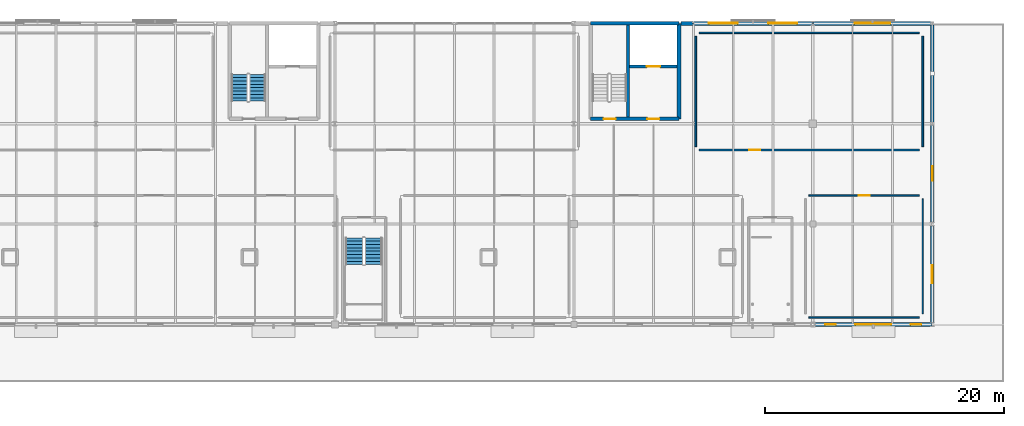
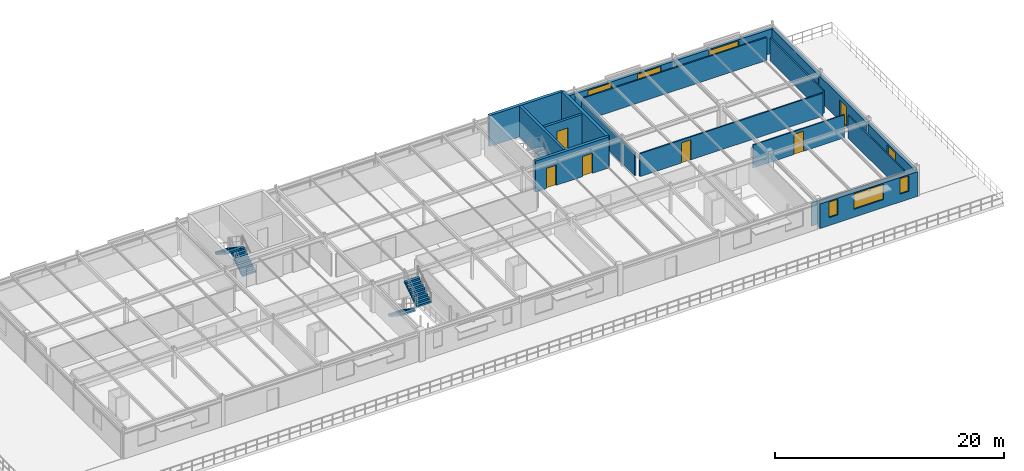
# One storey, part 18 of 23: 19 walls, 7 windows, 6 doors, 4 stair flights, 13 openings, 2 elements without a shape of their own.
"""IFC4 building model written with IfcOpenShell, lengths in metres."""

from ifc_helpers import new_model, si_unit, derived_unit, direction, frame, frame_2d, origin, place, context, subcontext, project, spatial, polyline, rectangle, outline, extrude, material, layer, layer_set, type_object, element, fill, aggregate, save


model = new_model("IFC4")

# Units and contexts
model_context = context("Model", 3, precision=1e-05, world=origin(), true_north=direction((0.0, 1.0)))
body_context = subcontext(model_context, "Body", "Model", "MODEL_VIEW")
ifc_project = project(units=[si_unit("LENGTHUNIT", "METRE"), si_unit("AREAUNIT", "SQUARE_METRE"), si_unit("VOLUMEUNIT", "CUBIC_METRE"), si_unit("PLANEANGLEUNIT", "RADIAN"), si_unit("MASSUNIT", "GRAM", prefix="KILO"), derived_unit("THERMALTRANSMITTANCEUNIT", [(si_unit("POWERUNIT", "WATT"), 1), (si_unit("LENGTHUNIT", "METRE"), -2), (si_unit("THERMODYNAMICTEMPERATUREUNIT", "KELVIN"), -1)])], contexts=[model_context])

# Site, building, storey
site_placement = place(None, origin())
site = spatial("IfcSite", under=ifc_project, at=site_placement, CompositionType="ELEMENT")
building_placement = place(site_placement, origin())
building = spatial("IfcBuilding", under=site, at=building_placement, Name="Cinnabar Yard Market Hall", CompositionType="ELEMENT")
storey_placement = place(building_placement, frame((0.0, 0.0, 12.0)))
storey = spatial("IfcBuildingStorey", under=building, at=storey_placement, Name="L03", CompositionType="ELEMENT", Elevation=12.0)

# Walls
ifc_material_1 = material(Name="Acoustic steel-stud plasterboard", Category="steel")
ifc_layer_1 = layer(ifc_material_1, 0.1201171875)
ifc_layer_set_1 = layer_set([ifc_layer_1], Name="Acoustic steel-stud plasterboard")
wall_type_1 = type_object("IfcWallType", Name="WL-PT120", PredefinedType="PARTITIONING", material=ifc_layer_set_1)
wall_1_placement = place(storey_placement, frame((145.679931640625, 113.39990234375, 0.0), z_axis=(0.0, 0.0, 1.0), x_axis=(1.0, 0.0, 0.0)))
element("IfcWall", 1, at=wall_1_placement, inside=storey, type_object=wall_type_1, Name="Partition Food Safety and Quality Laboratory south", PredefinedType="PARTITIONING", context=body_context, shape_type="SweptSolid", body=[
    extrude(rectangle(XDim=9.239990234375, YDim=0.1201171875, at=frame_2d((4.6201171875, 0.0), x_axis=(1.0, 0.0))), origin(), (0.0, 0.0, 1.0), 2.449951171875),
])
wall_2_placement = place(storey_placement, frame((155.199951171875, 113.679931640625, 0.0), z_axis=(0.0, 0.0, 1.0), x_axis=(0.0, 1.0, 0.0)))
element("IfcWall", 2, at=wall_2_placement, inside=storey, type_object=wall_type_1, Name="Partition Food Safety and Quality Laboratory east", PredefinedType="PARTITIONING", context=body_context, shape_type="SweptSolid", body=[
    extrude(rectangle(XDim=9.64013671875, YDim=0.1201171875, at=frame_2d((4.820068359375, 0.0), x_axis=(1.0, 0.0))), origin(), (0.0, 0.0, 1.0), 2.449951171875),
])

# Wall, opening, door
wall_3_placement = place(storey_placement, frame((154.919921875, 123.60009765625, 0.0), z_axis=(0.0, 0.0, 1.0), x_axis=(-1.0, 0.0, 0.0)))
wall_3 = element("IfcWall", 3, at=wall_3_placement, inside=storey, type_object=wall_type_1, Name="Partition Food Safety and Quality Laboratory north", PredefinedType="PARTITIONING", context=body_context, shape_type="SweptSolid", body=[
    extrude(rectangle(XDim=9.239990234375, YDim=0.1201171875, at=frame_2d((4.6201171875, 0.0), x_axis=(1.0, 0.0))), origin(), (0.0, 0.0, 1.0), 2.449951171875),
])
opening_1_placement = place(wall_3_placement, frame((4.14501953125, 0.0, 0.0)))
opening_1 = element("IfcOpeningElement", 4, at=opening_1_placement, cuts=wall_3, Name="Opening ID-180", PredefinedType="OPENING", context=body_context, shape_type="SweptSolid", body=[
    extrude(rectangle(XDim=0.949951171875, YDim=2.14990234375, at=frame_2d((0.47509765625, 1.074951171875), x_axis=(1.0, 0.0))), frame((0.0, 0.070068359375, 0.0), z_axis=(0.0, -1.0, 0.0), x_axis=(1.0, 0.0, 0.0)), (0.0, 0.0, 1.0), 0.14013671875),
])
ifc_material_2 = material(Name="Solid-core spotted gum timber", Category="wood")
door_type_1 = type_object("IfcDoorType", Name="DR-D06", OperationType="NOTDEFINED", PredefinedType="DOOR", material=ifc_material_2)
door_1_placement = place(opening_1_placement, origin())
door_1 = element("IfcDoor", 5, at=door_1_placement, inside=storey, type_object=door_type_1, Name="Interior Door ID-180", OperationType="SINGLE_SWING_LEFT", OverallHeight=2.14990234375, OverallWidth=0.949951171875, PredefinedType="DOOR", context=body_context, shape_type="SweptSolid", body=[
    extrude(rectangle(XDim=0.949951171875, YDim=2.14990234375, at=frame_2d((0.47509765625, 1.074951171875), x_axis=(1.0, 0.0))), frame((0.0, 0.02490234375, 0.0), z_axis=(0.0, -1.0, 0.0), x_axis=(1.0, 0.0, 0.0)), (0.0, 0.0, 1.0), 0.050048828125),
])
fill(opening_1, door_1)

ifc_material_3 = material(Name="Moisture-resistant tiled service wall")
ifc_layer_2 = layer(ifc_material_3, 0.139892578125)
ifc_layer_set_2 = layer_set([ifc_layer_2], Name="Moisture-resistant tiled service wall")
wall_type_2 = type_object("IfcWallType", Name="WL-PT140", PredefinedType="PLUMBINGWALL", material=ifc_layer_set_2)
wall_4_placement = place(storey_placement, frame((136.47998046875, 127.39990234375, 0.0), z_axis=(0.0, 0.0, 1.0), x_axis=(1.0, 0.0, 0.0)))
wall_4 = element("IfcWall", 6, at=wall_4_placement, inside=storey, type_object=wall_type_2, Name="Partition L03 Public and Accessible WC south", PredefinedType="PLUMBINGWALL", context=body_context, shape_type="SweptSolid", body=[
    extrude(rectangle(XDim=18.43994140625, YDim=0.139892578125, at=frame_2d((9.219970703125, 0.0), x_axis=(1.0, 0.0))), origin(), (0.0, 0.0, 1.0), 2.449951171875),
])
opening_2_placement = place(wall_4_placement, frame((4.204833984375, 0.0, 0.0)))
opening_2 = element("IfcOpeningElement", 7, at=opening_2_placement, cuts=wall_4, Name="Opening ID-183", PredefinedType="OPENING", context=body_context, shape_type="SweptSolid", body=[
    extrude(rectangle(XDim=0.919921875, YDim=2.14990234375, at=frame_2d((0.4599609375, 1.074951171875), x_axis=(1.0, 0.0))), frame((0.0, 0.079833984375, 0.0), z_axis=(0.0, -1.0, 0.0), x_axis=(1.0, 0.0, 0.0)), (0.0, 0.0, 1.0), 0.159912109375),
])
door_type_2 = type_object("IfcDoorType", Name="DR-D07", OperationType="NOTDEFINED", PredefinedType="DOOR", material=ifc_material_2)
door_2_placement = place(opening_2_placement, origin())
door_2 = element("IfcDoor", 8, at=door_2_placement, inside=storey, type_object=door_type_2, Name="Interior Door ID-183", OperationType="SINGLE_SWING_RIGHT", OverallHeight=2.14990234375, OverallWidth=0.919921875, PredefinedType="DOOR", context=body_context, shape_type="SweptSolid", body=[
    extrude(rectangle(XDim=0.919921875, YDim=2.14990234375, at=frame_2d((0.4599609375, 1.074951171875), x_axis=(1.0, 0.0))), frame((0.0, 0.02490234375, 0.0), z_axis=(0.0, -1.0, 0.0), x_axis=(1.0, 0.0, 0.0)), (0.0, 0.0, 1.0), 0.050048828125),
])
fill(opening_2, door_2)

# Walls
wall_5_placement = place(storey_placement, frame((155.199951171875, 127.679931640625, 0.0), z_axis=(0.0, 0.0, 1.0), x_axis=(0.0, 1.0, 0.0)))
element("IfcWall", 9, at=wall_5_placement, inside=storey, type_object=wall_type_2, Name="Partition L03 Public and Accessible WC east", PredefinedType="PLUMBINGWALL", context=body_context, shape_type="SweptSolid", body=[
    extrude(rectangle(XDim=9.239990234375, YDim=0.139892578125, at=frame_2d((4.6201171875, 0.0), x_axis=(1.0, 0.0))), origin(), (0.0, 0.0, 1.0), 2.449951171875),
])
wall_6_placement = place(storey_placement, frame((154.919921875, 137.199951171875, 0.0), z_axis=(0.0, 0.0, 1.0), x_axis=(-1.0, 0.0, 0.0)))
element("IfcWall", 10, at=wall_6_placement, inside=storey, type_object=wall_type_2, Name="Partition L03 Public and Accessible WC north", PredefinedType="PLUMBINGWALL", context=body_context, shape_type="SweptSolid", body=[
    extrude(rectangle(XDim=18.43994140625, YDim=0.139892578125, at=frame_2d((9.219970703125, 0.0), x_axis=(1.0, 0.0))), origin(), (0.0, 0.0, 1.0), 2.449951171875),
])
wall_7_placement = place(storey_placement, frame((136.199951171875, 136.919921875, 0.0), z_axis=(0.0, 0.0, 1.0), x_axis=(0.0, -1.0, 0.0)))
element("IfcWall", 11, at=wall_7_placement, inside=storey, type_object=wall_type_2, Name="Partition L03 Public and Accessible WC west", PredefinedType="PLUMBINGWALL", context=body_context, shape_type="SweptSolid", body=[
    extrude(rectangle(XDim=9.239990234375, YDim=0.139892578125, at=frame_2d((4.6201171875, 0.0), x_axis=(1.0, 0.0))), origin(), (0.0, 0.0, 1.0), 2.449951171875),
])
ifc_material_4 = material(Name="Concrete 40 MPa", Category="concrete")
ifc_layer_3 = layer(ifc_material_4, 0.300048828125)
ifc_layer_set_3 = layer_set([ifc_layer_3], Name="Concrete 40 MPa")
wall_type_3 = type_object("IfcWallType", Name="WL-W-CORE", PredefinedType="SHEAR", material=ifc_layer_set_3)
wall_8_placement = place(storey_placement, frame((134.800048828125, 130.0, 0.0), z_axis=(0.0, 0.0, 1.0), x_axis=(0.0, 1.0, 0.0)))
element("IfcWall", 12, at=wall_8_placement, inside=storey, type_object=wall_type_3, Name="Core C6 East Shear Wall L03", PredefinedType="SHEAR", context=body_context, shape_type="SweptSolid", body=[
    extrude(rectangle(XDim=8.0, YDim=0.300048828125, at=frame_2d((4.0, 0.0), x_axis=(1.0, 0.0))), origin(), (0.0, 0.0, 1.0), 3.300048828125),
])

# Wall, openings, doors
wall_9_placement = place(storey_placement, frame((127.39990234375, 130.0, 0.0), z_axis=(0.0, 0.0, 1.0), x_axis=(1.0, 0.0, 0.0)))
wall_9 = element("IfcWall", 13, at=wall_9_placement, inside=storey, type_object=wall_type_3, Name="Core C6 South Shear Wall L03", PredefinedType="SHEAR", context=body_context, shape_type="SweptSolid", body=[
    extrude(rectangle(XDim=7.400146484375, YDim=0.300048828125, at=frame_2d((3.7001953125, 0.0), x_axis=(1.0, 0.0))), origin(), (0.0, 0.0, 1.0), 3.300048828125),
])
opening_3_placement = place(wall_9_placement, frame((1.10009765625, 0.0, 0.0)))
opening_3 = element("IfcOpeningElement", 14, at=opening_3_placement, cuts=wall_9, Name="Opening CD-049", PredefinedType="OPENING", context=body_context, shape_type="SweptSolid", body=[
    extrude(rectangle(XDim=1.0, YDim=2.14990234375, at=frame_2d((0.5, 1.074951171875), x_axis=(1.0, 0.0))), frame((0.0, 0.159912109375, 0.0), z_axis=(0.0, -1.0, 0.0), x_axis=(1.0, 0.0, 0.0)), (0.0, 0.0, 1.0), 0.320068359375),
])
opening_4_placement = place(wall_9_placement, frame((4.75, 0.0, 0.0)))
opening_4 = element("IfcOpeningElement", 15, at=opening_4_placement, cuts=wall_9, Name="Opening CD-050", PredefinedType="OPENING", context=body_context, shape_type="SweptSolid", body=[
    extrude(rectangle(XDim=1.0, YDim=2.14990234375, at=frame_2d((0.5, 1.074951171875), x_axis=(1.0, 0.0))), frame((0.0, 0.159912109375, 0.0), z_axis=(0.0, -1.0, 0.0), x_axis=(1.0, 0.0, 0.0)), (0.0, 0.0, 1.0), 0.320068359375),
])
door_type_3 = type_object("IfcDoorType", Name="DR-D05", OperationType="NOTDEFINED", PredefinedType="DOOR", material=ifc_material_2)
door_3_placement = place(opening_3_placement, origin())
door_3 = element("IfcDoor", 16, at=door_3_placement, inside=storey, type_object=door_type_3, Name="Core Door CD-049", OperationType="SINGLE_SWING_RIGHT", OverallHeight=2.14990234375, OverallWidth=1.0, PredefinedType="DOOR", context=body_context, shape_type="SweptSolid", body=[
    extrude(rectangle(XDim=1.0, YDim=2.14990234375, at=frame_2d((0.5, 1.074951171875), x_axis=(1.0, 0.0))), frame((0.0, 0.02490234375, 0.0), z_axis=(0.0, -1.0, 0.0), x_axis=(1.0, 0.0, 0.0)), (0.0, 0.0, 1.0), 0.050048828125),
])
fill(opening_3, door_3)
door_4_placement = place(opening_4_placement, origin())
door_4 = element("IfcDoor", 17, at=door_4_placement, inside=storey, type_object=door_type_3, Name="Core Door CD-050", OperationType="SINGLE_SWING_LEFT", OverallHeight=2.14990234375, OverallWidth=1.0, PredefinedType="DOOR", context=body_context, shape_type="SweptSolid", body=[
    extrude(rectangle(XDim=1.0, YDim=2.14990234375, at=frame_2d((0.5, 1.074951171875), x_axis=(1.0, 0.0))), frame((0.0, 0.02490234375, 0.0), z_axis=(0.0, -1.0, 0.0), x_axis=(1.0, 0.0, 0.0)), (0.0, 0.0, 1.0), 0.050048828125),
])
fill(opening_4, door_4)

# Walls
wall_10_placement = place(storey_placement, frame((134.800048828125, 138.0, 0.0), z_axis=(0.0, 0.0, 1.0), x_axis=(-1.0, 0.0, 0.0)))
element("IfcWall", 18, at=wall_10_placement, inside=storey, type_object=wall_type_3, Name="Core C6 North Shear Wall L03", PredefinedType="SHEAR", context=body_context, shape_type="SweptSolid", body=[
    extrude(rectangle(XDim=7.400146484375, YDim=0.300048828125, at=frame_2d((3.7001953125, 0.0), x_axis=(1.0, 0.0))), origin(), (0.0, 0.0, 1.0), 3.300048828125),
])
ifc_material_5 = material(Name="Cream limestone and Concrete 32 MPa", Category="masonry")
ifc_layer_4 = layer(ifc_material_5, 0.320068359375)
ifc_layer_set_4 = layer_set([ifc_layer_4], Name="Cream limestone and Concrete 32 MPa")
wall_type_4 = type_object("IfcWallType", Name="WL-W-EXT2", PredefinedType="SOLIDWALL", material=ifc_layer_set_4)
wall_11_placement = place(storey_placement, frame((135.989990234375, 138.0, 0.0), z_axis=(0.0, 0.0, 1.0), x_axis=(-1.0, 0.0, 0.0)))
element("IfcWall", 19, at=wall_11_placement, inside=storey, type_object=wall_type_4, Name="Wing North Flank L03 Bay 6E", PredefinedType="SOLIDWALL", context=body_context, shape_type="SweptSolid", body=[
    extrude(rectangle(XDim=1.0400390625, YDim=0.320068359375, at=frame_2d((0.52001953125, 0.0), x_axis=(1.0, 0.0))), origin(), (0.0, 0.0, 1.0), 2.6201171875),
])

# Wall, openings, windows
wall_12_placement = place(storey_placement, frame((145.98828125, 138.0, 0.0), z_axis=(0.0, 0.0, 1.0), x_axis=(-1.0, 0.0, 0.0)))
wall_12 = element("IfcWall", 20, at=wall_12_placement, inside=storey, type_object=wall_type_4, Name="Wing North Wall L03 Bay 7", PredefinedType="SOLIDWALL", context=body_context, shape_type="SweptSolid", body=[
    extrude(rectangle(XDim=9.978271484375, YDim=0.320068359375, at=frame_2d((4.9892578125, 0.0), x_axis=(1.0, 0.0))), origin(), (0.0, 0.0, 1.0), 2.6201171875),
])
opening_5_placement = place(wall_12_placement, frame((1.300048828125, 0.0, 0.85009765625)))
opening_5 = element("IfcOpeningElement", 21, at=opening_5_placement, cuts=wall_12, Name="Opening W12", PredefinedType="OPENING", context=body_context, shape_type="SweptSolid", body=[
    extrude(rectangle(XDim=2.39990234375, YDim=1.64990234375, at=frame_2d((1.199951171875, 0.824951171875), x_axis=(1.0, 0.0))), frame((0.0, 0.169921875, 0.0), z_axis=(0.0, -1.0, 0.0), x_axis=(1.0, 0.0, 0.0)), (0.0, 0.0, 1.0), 0.340087890625),
])
opening_6_placement = place(wall_12_placement, frame((6.2783203125, 0.0, 0.85009765625)))
opening_6 = element("IfcOpeningElement", 22, at=opening_6_placement, cuts=wall_12, Name="Opening W12", PredefinedType="OPENING", context=body_context, shape_type="SweptSolid", body=[
    extrude(rectangle(XDim=2.39990234375, YDim=1.64990234375, at=frame_2d((1.199951171875, 0.824951171875), x_axis=(1.0, 0.0))), frame((0.0, 0.169921875, 0.0), z_axis=(0.0, -1.0, 0.0), x_axis=(1.0, 0.0, 0.0)), (0.0, 0.0, 1.0), 0.340087890625),
])
ifc_material_6 = material(Name="Upper Masterclass double glazing in bronze aluminium", Category="aluminium")
window_type_1 = type_object("IfcWindowType", Name="WN-W12", PartitioningType="SINGLE_PANEL", PredefinedType="WINDOW", material=ifc_material_6)
window_1_placement = place(opening_5_placement, origin())
window_1 = element("IfcWindow", 23, at=window_1_placement, inside=storey, type_object=window_type_1, Name="Window WN-V3N-L03-7A", OverallHeight=1.64990234375, OverallWidth=2.39990234375, PartitioningType="SINGLE_PANEL", PredefinedType="WINDOW", context=body_context, shape_type="SweptSolid", body=[
    extrude(rectangle(XDim=2.39990234375, YDim=1.64990234375, at=frame_2d((1.199951171875, 0.824951171875), x_axis=(1.0, 0.0))), frame((0.0, 0.030029296875, 0.0), z_axis=(0.0, -1.0, 0.0), x_axis=(1.0, 0.0, 0.0)), (0.0, 0.0, 1.0), 0.06005859375),
])
fill(opening_5, window_1)
window_2_placement = place(opening_6_placement, origin())
window_2 = element("IfcWindow", 24, at=window_2_placement, inside=storey, type_object=window_type_1, Name="Window WN-V3N-L03-7B", OverallHeight=1.64990234375, OverallWidth=2.39990234375, PartitioningType="SINGLE_PANEL", PredefinedType="WINDOW", context=body_context, shape_type="SweptSolid", body=[
    extrude(rectangle(XDim=2.39990234375, YDim=1.64990234375, at=frame_2d((1.199951171875, 0.824951171875), x_axis=(1.0, 0.0))), frame((0.0, 0.030029296875, 0.0), z_axis=(0.0, -1.0, 0.0), x_axis=(1.0, 0.0, 0.0)), (0.0, 0.0, 1.0), 0.06005859375),
])
fill(opening_6, window_2)

wall_13_placement = place(storey_placement, frame((146.130615234375, 112.800048828125, 0.0), z_axis=(0.0, 0.0, 1.0), x_axis=(1.0, 0.0, 0.0)))
wall_13 = element("IfcWall", 25, at=wall_13_placement, inside=storey, type_object=wall_type_4, Name="Wing South Wall L03 Bay 8", PredefinedType="SOLIDWALL", context=body_context, shape_type="SweptSolid", body=[
    extrude(rectangle(XDim=9.859375, YDim=0.320068359375, at=frame_2d((4.9296875, 0.0), x_axis=(1.0, 0.0))), origin(), (0.0, 0.0, 1.0), 2.6201171875),
])
opening_7_placement = place(wall_13_placement, frame((3.4296875, 0.0, 0.85009765625)))
opening_7 = element("IfcOpeningElement", 26, at=opening_7_placement, cuts=wall_13, Name="Opening W13", PredefinedType="OPENING", context=body_context, shape_type="SweptSolid", body=[
    extrude(rectangle(XDim=3.0, YDim=1.64990234375, at=frame_2d((1.5, 0.824951171875), x_axis=(1.0, 0.0))), frame((0.0, 0.169921875, 0.0), z_axis=(0.0, -1.0, 0.0), x_axis=(1.0, 0.0, 0.0)), (0.0, 0.0, 1.0), 0.340087890625),
])
opening_8_placement = place(wall_13_placement, frame((0.89990234375, 0.0, 0.85009765625)))
opening_8 = element("IfcOpeningElement", 27, at=opening_8_placement, cuts=wall_13, Name="Opening W14", PredefinedType="OPENING", context=body_context, shape_type="SweptSolid", body=[
    extrude(rectangle(XDim=0.89990234375, YDim=1.64990234375, at=frame_2d((0.449951171875, 0.824951171875), x_axis=(1.0, 0.0))), frame((0.0, 0.169921875, 0.0), z_axis=(0.0, -1.0, 0.0), x_axis=(1.0, 0.0, 0.0)), (0.0, 0.0, 1.0), 0.340087890625),
])
opening_9_placement = place(wall_13_placement, frame((8.0595703125, 0.0, 0.85009765625)))
opening_9 = element("IfcOpeningElement", 28, at=opening_9_placement, cuts=wall_13, Name="Opening W14", PredefinedType="OPENING", context=body_context, shape_type="SweptSolid", body=[
    extrude(rectangle(XDim=0.89990234375, YDim=1.64990234375, at=frame_2d((0.449951171875, 0.824951171875), x_axis=(1.0, 0.0))), frame((0.0, 0.169921875, 0.0), z_axis=(0.0, -1.0, 0.0), x_axis=(1.0, 0.0, 0.0)), (0.0, 0.0, 1.0), 0.340087890625),
])
ifc_material_7 = material(Name="Upper Masterclass solar-control glazing", Category="glass")
window_type_2 = type_object("IfcWindowType", Name="WN-W13", PartitioningType="SINGLE_PANEL", PredefinedType="WINDOW", material=ifc_material_7)
window_3_placement = place(opening_7_placement, origin())
window_3 = element("IfcWindow", 29, at=window_3_placement, inside=storey, type_object=window_type_2, Name="Window WN-V3S-L03-8M", OverallHeight=1.64990234375, OverallWidth=3.0, PartitioningType="SINGLE_PANEL", PredefinedType="WINDOW", context=body_context, shape_type="SweptSolid", body=[
    extrude(rectangle(XDim=3.0, YDim=1.64990234375, at=frame_2d((1.5, 0.824951171875), x_axis=(1.0, 0.0))), frame((0.0, 0.030029296875, 0.0), z_axis=(0.0, -1.0, 0.0), x_axis=(1.0, 0.0, 0.0)), (0.0, 0.0, 1.0), 0.06005859375),
])
fill(opening_7, window_3)
ifc_material_8 = material(Name="Upper Belvedere lancet glazing", Category="glass")
window_type_3 = type_object("IfcWindowType", Name="WN-W14", PartitioningType="SINGLE_PANEL", PredefinedType="WINDOW", material=ifc_material_8)
window_4_placement = place(opening_8_placement, origin())
window_4 = element("IfcWindow", 30, at=window_4_placement, inside=storey, type_object=window_type_3, Name="Window WN-V3S-L03-8L", OverallHeight=1.64990234375, OverallWidth=0.89990234375, PartitioningType="SINGLE_PANEL", PredefinedType="WINDOW", context=body_context, shape_type="SweptSolid", body=[
    extrude(rectangle(XDim=0.89990234375, YDim=1.64990234375, at=frame_2d((0.449951171875, 0.824951171875), x_axis=(1.0, 0.0))), frame((0.0, 0.030029296875, 0.0), z_axis=(0.0, -1.0, 0.0), x_axis=(1.0, 0.0, 0.0)), (0.0, 0.0, 1.0), 0.06005859375),
])
fill(opening_8, window_4)
window_5_placement = place(opening_9_placement, origin())
window_5 = element("IfcWindow", 31, at=window_5_placement, inside=storey, type_object=window_type_3, Name="Window WN-V3S-L03-8R", OverallHeight=1.64990234375, OverallWidth=0.89990234375, PartitioningType="SINGLE_PANEL", PredefinedType="WINDOW", context=body_context, shape_type="SweptSolid", body=[
    extrude(rectangle(XDim=0.89990234375, YDim=1.64990234375, at=frame_2d((0.449951171875, 0.824951171875), x_axis=(1.0, 0.0))), frame((0.0, 0.030029296875, 0.0), z_axis=(0.0, -1.0, 0.0), x_axis=(1.0, 0.0, 0.0)), (0.0, 0.0, 1.0), 0.06005859375),
])
fill(opening_9, window_5)

# Wall, opening, window
wall_14_placement = place(storey_placement, frame((155.989990234375, 138.0, 0.0), z_axis=(0.0, 0.0, 1.0), x_axis=(-1.0, 0.0, 0.0)))
wall_14 = element("IfcWall", 32, at=wall_14_placement, inside=storey, type_object=wall_type_4, Name="Wing North Wall L03 Bay 8", PredefinedType="SOLIDWALL", context=body_context, shape_type="SweptSolid", body=[
    extrude(rectangle(XDim=9.978271484375, YDim=0.320068359375, at=frame_2d((4.9892578125, 0.0), x_axis=(1.0, 0.0))), origin(), (0.0, 0.0, 1.0), 2.6201171875),
])
opening_10_placement = place(wall_14_placement, frame((3.489013671875, 0.0, 0.85009765625)))
opening_10 = element("IfcOpeningElement", 33, at=opening_10_placement, cuts=wall_14, Name="Opening W13", PredefinedType="OPENING", context=body_context, shape_type="SweptSolid", body=[
    extrude(rectangle(XDim=3.0, YDim=1.64990234375, at=frame_2d((1.5, 0.824951171875), x_axis=(1.0, 0.0))), frame((0.0, 0.169921875, 0.0), z_axis=(0.0, -1.0, 0.0), x_axis=(1.0, 0.0, 0.0)), (0.0, 0.0, 1.0), 0.340087890625),
])
window_6_placement = place(opening_10_placement, origin())
window_6 = element("IfcWindow", 34, at=window_6_placement, inside=storey, type_object=window_type_2, Name="Window WN-V3N-L03-8M", OverallHeight=1.64990234375, OverallWidth=3.0, PartitioningType="SINGLE_PANEL", PredefinedType="WINDOW", context=body_context, shape_type="SweptSolid", body=[
    extrude(rectangle(XDim=3.0, YDim=1.64990234375, at=frame_2d((1.5, 0.824951171875), x_axis=(1.0, 0.0))), frame((0.0, 0.030029296875, 0.0), z_axis=(0.0, -1.0, 0.0), x_axis=(1.0, 0.0, 0.0)), (0.0, 0.0, 1.0), 0.06005859375),
])
fill(opening_10, window_6)

wall_15_placement = place(storey_placement, frame((156.0, 112.961181640625, 0.0), z_axis=(0.0, 0.0, 1.0), x_axis=(0.0, 1.0, 0.0)))
wall_15 = element("IfcWall", 35, at=wall_15_placement, inside=storey, type_object=wall_type_4, Name="Wing East End Wall L03 Seg 1", PredefinedType="SOLIDWALL", context=body_context, shape_type="SweptSolid", body=[
    extrude(rectangle(XDim=8.080810546875, YDim=0.320068359375, at=frame_2d((4.04052734375, 0.0), x_axis=(1.0, 0.0))), origin(), (0.0, 0.0, 1.0), 2.6201171875),
])
opening_11_placement = place(wall_15_placement, frame((3.290283203125, 0.0, 0.85009765625)))
opening_11 = element("IfcOpeningElement", 36, at=opening_11_placement, cuts=wall_15, Name="Opening W03", PredefinedType="OPENING", context=body_context, shape_type="SweptSolid", body=[
    extrude(rectangle(XDim=1.5, YDim=1.60009765625, at=frame_2d((0.75, 0.800048828125), x_axis=(1.0, 0.0))), frame((0.0, 0.169921875, 0.0), z_axis=(0.0, -1.0, 0.0), x_axis=(1.0, 0.0, 0.0)), (0.0, 0.0, 1.0), 0.340087890625),
])
ifc_material_9 = material(Name="Low-E double glazing in bronze aluminium", Category="aluminium")
window_type_4 = type_object("IfcWindowType", Name="WN-W03", PartitioningType="SINGLE_PANEL", PredefinedType="WINDOW", material=ifc_material_9)
window_7_placement = place(opening_11_placement, origin())
window_7 = element("IfcWindow", 37, at=window_7_placement, inside=storey, type_object=window_type_4, Name="Window WN-V3E-L03-1", OverallHeight=1.60009765625, OverallWidth=1.5, PartitioningType="SINGLE_PANEL", PredefinedType="WINDOW", context=body_context, shape_type="SweptSolid", body=[
    extrude(rectangle(XDim=1.5, YDim=1.60009765625, at=frame_2d((0.75, 0.800048828125), x_axis=(1.0, 0.0))), frame((0.0, 0.030029296875, 0.0), z_axis=(0.0, -1.0, 0.0), x_axis=(1.0, 0.0, 0.0)), (0.0, 0.0, 1.0), 0.06005859375),
])
fill(opening_11, window_7)

# Wall, opening, door
wall_16_placement = place(storey_placement, frame((156.0, 121.35791015625, 0.0), z_axis=(0.0, 0.0, 1.0), x_axis=(0.0, 1.0, 0.0)))
wall_16 = element("IfcWall", 38, at=wall_16_placement, inside=storey, type_object=wall_type_4, Name="Wing East End Wall L03 Seg 2", PredefinedType="SOLIDWALL", context=body_context, shape_type="SweptSolid", body=[
    extrude(rectangle(XDim=8.136474609375, YDim=0.320068359375, at=frame_2d((4.068359375, 0.0), x_axis=(1.0, 0.0))), origin(), (0.0, 0.0, 1.0), 2.6201171875),
])
opening_12_placement = place(wall_16_placement, frame((3.46826171875, 0.0, 0.0)))
opening_12 = element("IfcOpeningElement", 39, at=opening_12_placement, cuts=wall_16, Name="Opening ED-040", PredefinedType="OPENING", context=body_context, shape_type="SweptSolid", body=[
    extrude(rectangle(XDim=1.199951171875, YDim=2.199951171875, at=frame_2d((0.60009765625, 1.10009765625), x_axis=(1.0, 0.0))), frame((0.0, 0.169921875, 0.0), z_axis=(0.0, -1.0, 0.0), x_axis=(1.0, 0.0, 0.0)), (0.0, 0.0, 1.0), 0.340087890625),
])
ifc_material_10 = material(Name="Anodised bronze aluminium and laminated glass", Category="aluminium")
door_type_4 = type_object("IfcDoorType", Name="DR-D04", OperationType="NOTDEFINED", PredefinedType="DOOR", material=ifc_material_10)
door_5_placement = place(opening_12_placement, origin())
door_5 = element("IfcDoor", 40, at=door_5_placement, inside=storey, type_object=door_type_4, Name="Door ED-040", OperationType="SINGLE_SWING_RIGHT", OverallHeight=2.199951171875, OverallWidth=1.199951171875, PredefinedType="DOOR", context=body_context, shape_type="SweptSolid", body=[
    extrude(rectangle(XDim=1.199951171875, YDim=2.199951171875, at=frame_2d((0.60009765625, 1.10009765625), x_axis=(1.0, 0.0))), frame((0.0, 0.02490234375, 0.0), z_axis=(0.0, -1.0, 0.0), x_axis=(1.0, 0.0, 0.0)), (0.0, 0.0, 1.0), 0.050048828125),
])
fill(opening_12, door_5)

# Walls
wall_17_placement = place(storey_placement, frame((156.0, 129.705810546875, 0.0), z_axis=(0.0, 0.0, 1.0), x_axis=(0.0, 1.0, 0.0)))
element("IfcWall", 41, at=wall_17_placement, inside=storey, type_object=wall_type_4, Name="Wing East End Wall L03 Seg 3", PredefinedType="SOLIDWALL", context=body_context, shape_type="SweptSolid", body=[
    extrude(rectangle(XDim=8.13916015625, YDim=0.320068359375, at=frame_2d((4.069580078125, 0.0), x_axis=(1.0, 0.0))), origin(), (0.0, 0.0, 1.0), 2.6201171875),
])
ifc_layer_5 = layer(ifc_material_4, 0.25)
ifc_layer_set_5 = layer_set([ifc_layer_5], Name="Concrete 40 MPa")
wall_type_5 = type_object("IfcWallType", Name="WL-W-SHAFT", PredefinedType="SHEAR", material=ifc_layer_set_5)
wall_18_placement = place(storey_placement, frame((130.514892578125, 130.14990234375, 0.0), z_axis=(0.0, 0.0, 1.0), x_axis=(0.0, 1.0, 0.0)))
element("IfcWall", 42, at=wall_18_placement, inside=storey, type_object=wall_type_5, Name="Core C6 Shaft Divider L03", PredefinedType="SHEAR", context=body_context, shape_type="SweptSolid", body=[
    extrude(rectangle(XDim=7.7001953125, YDim=0.25, at=frame_2d((3.85009765625, 0.0), x_axis=(1.0, 0.0))), origin(), (0.0, 0.0, 1.0), 3.300048828125),
])

# Wall, opening, door
wall_19_placement = place(storey_placement, frame((130.679931640625, 134.3798828125, 0.0), z_axis=(0.0, 0.0, 1.0), x_axis=(1.0, 0.0, 0.0)))
wall_19 = element("IfcWall", 43, at=wall_19_placement, inside=storey, type_object=wall_type_5, Name="Core C6 Lift Front Wall L03", PredefinedType="SHEAR", context=body_context, shape_type="SweptSolid", body=[
    extrude(rectangle(XDim=3.969970703125, YDim=0.25, at=frame_2d((1.98486328125, 0.0), x_axis=(1.0, 0.0))), origin(), (0.0, 0.0, 1.0), 3.070068359375),
])
opening_13_placement = place(wall_19_placement, frame((1.43505859375, 0.0, 0.0)))
opening_13 = element("IfcOpeningElement", 44, at=opening_13_placement, cuts=wall_19, Name="Opening LD-LP-04-L03", PredefinedType="OPENING", context=body_context, shape_type="SweptSolid", body=[
    extrude(rectangle(XDim=1.10009765625, YDim=2.14990234375, at=frame_2d((0.550048828125, 1.074951171875), x_axis=(1.0, 0.0))), frame((0.0, 0.135009765625, 0.0), z_axis=(0.0, -1.0, 0.0), x_axis=(1.0, 0.0, 0.0)), (0.0, 0.0, 1.0), 0.27001953125),
])
ifc_material_11 = material(Name="Brushed stainless steel landing door", Category="steel")
door_type_5 = type_object("IfcDoorType", Name="DR-LD01", OperationType="NOTDEFINED", PredefinedType="DOOR", material=ifc_material_11)
door_6_placement = place(opening_13_placement, origin())
door_6 = element("IfcDoor", 45, at=door_6_placement, inside=storey, type_object=door_type_5, Name="Lift Landing Door LD-LP-04-L03", OperationType="SLIDING_TO_LEFT", OverallHeight=2.14990234375, OverallWidth=1.10009765625, PredefinedType="DOOR", context=body_context, shape_type="SweptSolid", body=[
    extrude(rectangle(XDim=1.10009765625, YDim=2.14990234375, at=frame_2d((0.550048828125, 1.074951171875), x_axis=(1.0, 0.0))), frame((0.0, 0.02490234375, 0.0), z_axis=(0.0, -1.0, 0.0), x_axis=(1.0, 0.0, 0.0)), (0.0, 0.0, 1.0), 0.050048828125),
])
fill(opening_13, door_6)

# Stair, stair flights
stair_type_1 = type_object("IfcStairType", Name="ST-CORE", PredefinedType="HALF_TURN_STAIR", material=ifc_material_4)
stair_1_placement = place(storey_placement, origin())
stair_1 = element("IfcStair", 46, at=stair_1_placement, inside=storey, type_object=stair_type_1, Name="L03 Cooking School West Core Stair", PredefinedType="HALF_TURN_STAIR")
stair_flight_type_1 = type_object("IfcStairFlightType", Name="STF-CORE", PredefinedType="STRAIGHT", material=ifc_material_4)
stair_flight_1_placement = place(storey_placement, frame((99.52490234375, 131.489990234375, 0.0), z_axis=(0.0, 0.0, 1.0), x_axis=(0.0, 1.0, 0.0)))
stair_flight_1 = element("IfcStairFlight", 47, at=stair_flight_1_placement, type_object=stair_flight_type_1, Name="ST-C5 flight 1", NumberOfRisers=9, NumberOfTreads=8, PredefinedType="STRAIGHT", RiserHeight=0.183333333, TreadLength=0.28, context=body_context, shape_type="SweptSolid", body=[
    extrude(outline(polyline([(0.0, 0.0), (0.0, 0.183349609375), (0.280029296875, 0.183349609375), (0.280029296875, 0.36669921875), (0.56005859375, 0.36669921875), (0.56005859375, 0.550048828125), (0.840087890625, 0.550048828125), (0.840087890625, 0.7333984375), (1.1201171875, 0.7333984375), (1.1201171875, 0.916748046875), (1.39990234375, 0.916748046875), (1.39990234375, 1.10009765625), (1.679931640625, 1.10009765625), (1.679931640625, 1.283447265625), (1.9599609375, 1.283447265625), (1.9599609375, 1.466552734375), (2.239990234375, 1.466552734375), (2.239990234375, 1.64990234375), (2.239990234375, 1.28759765625), (0.273681640625, 0.0), (0.0, 0.0)])), frame((0.0, 0.675048828125, 0.0), z_axis=(0.0, -1.0, 0.0), x_axis=(1.0, 0.0, 0.0)), (0.0, 0.0, 1.0), 1.35009765625),
])
stair_flight_2_placement = place(storey_placement, frame((98.014892578125, 133.72998046875, 1.64990234375), z_axis=(0.0, 0.0, 1.0), x_axis=(0.0, -1.0, 0.0)))
stair_flight_2 = element("IfcStairFlight", 48, at=stair_flight_2_placement, type_object=stair_flight_type_1, Name="ST-C5 flight 2", NumberOfRisers=9, NumberOfTreads=8, PredefinedType="STRAIGHT", RiserHeight=0.183333333, TreadLength=0.28, context=body_context, shape_type="SweptSolid", body=[
    extrude(outline(polyline([(0.0, 0.0), (0.0, 0.183349609375), (0.280029296875, 0.183349609375), (0.280029296875, 0.36669921875), (0.56005859375, 0.36669921875), (0.56005859375, 0.550048828125), (0.840087890625, 0.550048828125), (0.840087890625, 0.7333984375), (1.1201171875, 0.7333984375), (1.1201171875, 0.916748046875), (1.39990234375, 0.916748046875), (1.39990234375, 1.10009765625), (1.679931640625, 1.10009765625), (1.679931640625, 1.283447265625), (1.9599609375, 1.283447265625), (1.9599609375, 1.466552734375), (2.239990234375, 1.466552734375), (2.239990234375, 1.64990234375), (2.239990234375, 1.28759765625), (0.273681640625, 0.0), (0.0, 0.0)])), frame((0.0, 0.675048828125, 0.0), z_axis=(0.0, -1.0, 0.0), x_axis=(1.0, 0.0, 0.0)), (0.0, 0.0, 1.0), 1.35009765625),
])
aggregate(stair_1, [stair_flight_1, stair_flight_2])

ifc_material_12 = material(Name="Spotted gum timber treads on steel Grade 350 (350 MPa)", Category="steel")
stair_type_2 = type_object("IfcStairType", Name="ST-FEAT", PredefinedType="HALF_TURN_STAIR", material=ifc_material_12)
stair_2_placement = place(storey_placement, origin())
stair_2 = element("IfcStair", 49, at=stair_2_placement, inside=storey, type_object=stair_type_2, Name="L03 Feature Stair ST-F4", PredefinedType="HALF_TURN_STAIR")
stair_flight_type_2 = type_object("IfcStairFlightType", Name="STF-FEAT", PredefinedType="STRAIGHT", material=ifc_material_12)
stair_flight_3_placement = place(storey_placement, frame((107.625, 120.050048828125, 0.0), z_axis=(0.0, 0.0, 1.0), x_axis=(0.0, -1.0, 0.0)))
stair_flight_3 = element("IfcStairFlight", 50, at=stair_flight_3_placement, type_object=stair_flight_type_2, Name="ST-F4 flight 1", NumberOfRisers=9, NumberOfTreads=8, PredefinedType="STRAIGHT", RiserHeight=0.183333333, TreadLength=0.28, context=body_context, shape_type="SweptSolid", body=[
    extrude(outline(polyline([(0.0, 0.0), (0.0, 0.183349609375), (0.280029296875, 0.183349609375), (0.280029296875, 0.36669921875), (0.56005859375, 0.36669921875), (0.56005859375, 0.550048828125), (0.840087890625, 0.550048828125), (0.840087890625, 0.7333984375), (1.1201171875, 0.7333984375), (1.1201171875, 0.916748046875), (1.39990234375, 0.916748046875), (1.39990234375, 1.10009765625), (1.679931640625, 1.10009765625), (1.679931640625, 1.283447265625), (1.9599609375, 1.283447265625), (1.9599609375, 1.466552734375), (2.239990234375, 1.466552734375), (2.239990234375, 1.64990234375), (2.239990234375, 1.28759765625), (0.273681640625, 0.0), (0.0, 0.0)])), frame((0.0, 0.72509765625, 0.0), z_axis=(0.0, -1.0, 0.0), x_axis=(1.0, 0.0, 0.0)), (0.0, 0.0, 1.0), 1.449951171875),
])
stair_flight_4_placement = place(storey_placement, frame((109.235107421875, 117.81005859375, 1.64990234375), z_axis=(0.0, 0.0, 1.0), x_axis=(0.0, 1.0, 0.0)))
stair_flight_4 = element("IfcStairFlight", 51, at=stair_flight_4_placement, type_object=stair_flight_type_2, Name="ST-F4 flight 2", NumberOfRisers=9, NumberOfTreads=8, PredefinedType="STRAIGHT", RiserHeight=0.183333333, TreadLength=0.28, context=body_context, shape_type="SweptSolid", body=[
    extrude(outline(polyline([(0.0, 0.0), (0.0, 0.183349609375), (0.280029296875, 0.183349609375), (0.280029296875, 0.36669921875), (0.56005859375, 0.36669921875), (0.56005859375, 0.550048828125), (0.840087890625, 0.550048828125), (0.840087890625, 0.7333984375), (1.1201171875, 0.7333984375), (1.1201171875, 0.916748046875), (1.39990234375, 0.916748046875), (1.39990234375, 1.10009765625), (1.679931640625, 1.10009765625), (1.679931640625, 1.283447265625), (1.9599609375, 1.283447265625), (1.9599609375, 1.466552734375), (2.239990234375, 1.466552734375), (2.239990234375, 1.64990234375), (2.239990234375, 1.28759765625), (0.273681640625, 0.0), (0.0, 0.0)])), frame((0.0, 0.72509765625, 0.0), z_axis=(0.0, -1.0, 0.0), x_axis=(1.0, 0.0, 0.0)), (0.0, 0.0, 1.0), 1.449951171875),
])
aggregate(stair_2, [stair_flight_3, stair_flight_4])

save(model, "model.ifc")
